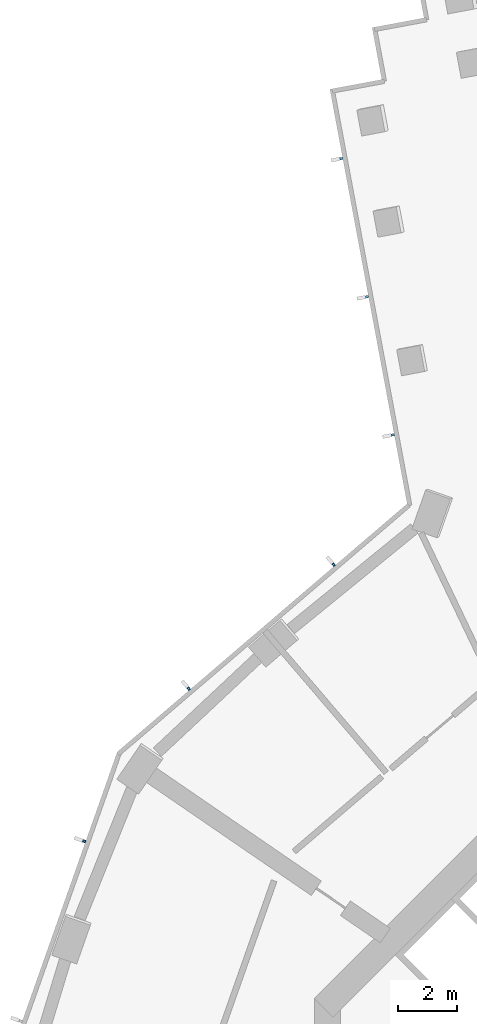
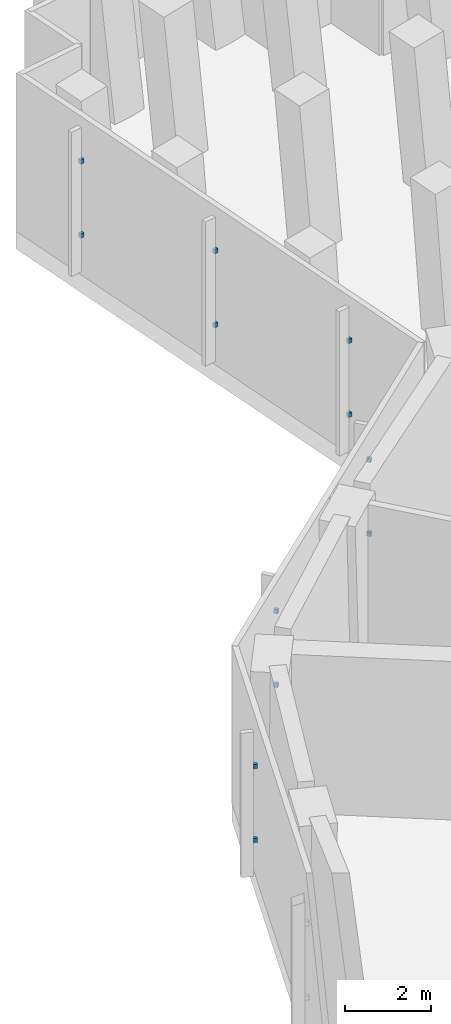
# One storey, part 10 of 20: 12 discrete accessories.
"""IFC4 building model written with IfcOpenShell, lengths in metres."""

from ifc_helpers import new_model, si_unit, direction, frame, origin, origin_2d, place, context, subcontext, project, spatial, rectangle, extrude, element, save


model = new_model("IFC4")

# Units and contexts
model_context = context("Model", 3, precision=1e-05, world=origin(), true_north=direction((0.0, 1.0)))
body_context = subcontext(model_context, "Body", "Model", "MODEL_VIEW")
ifc_project = project(units=[si_unit("LENGTHUNIT", "METRE"), si_unit("AREAUNIT", "SQUARE_METRE"), si_unit("VOLUMEUNIT", "CUBIC_METRE"), si_unit("PLANEANGLEUNIT", "RADIAN"), si_unit("MASSUNIT", "GRAM", prefix="KILO")], contexts=[model_context])

# Site, building, storey
site_placement = place(None, origin())
site = spatial("IfcSite", under=ifc_project, at=site_placement, CompositionType="ELEMENT")
building_placement = place(site_placement, origin())
building = spatial("IfcBuilding", under=site, at=building_placement, Name="Verdalira Terraces Hotel", CompositionType="ELEMENT")
storey_placement = place(building_placement, frame((0.0, 0.0, 75.0)))
storey = spatial("IfcBuildingStorey", under=building, at=storey_placement, Name="L17", CompositionType="ELEMENT", Elevation=75.0)

# Discrete accessories
for number, where, z_axis, x_axis, name in (
    (1, (-13.079346, 34.419189, 1.139893), (0.0, 0.0, 1.0), (0.183265088, -0.983063532, 0.0), "Fin bracket"),
    (2, (-13.079346, 34.419189, 3.23999), (0.0, 0.0, 1.0), (0.183265088, -0.983063532, 0.0), "Fin bracket"),
    (3, (-12.201416, 29.710449, 1.139893), (0.0, 0.0, 1.0), (0.183265088, -0.983063532, 0.0), "Fin bracket"),
    (4, (-12.201416, 29.710449, 3.23999), (0.0, 0.0, 1.0), (0.183265088, -0.983063532, 0.0), "Fin bracket"),
    (5, (-11.32373, 25.001465, 1.139893), (0.0, 0.0, 1.0), (0.183265088, -0.983063532, 0.0), "Fin bracket"),
    (6, (-11.32373, 25.001465, 3.23999), (0.0, 0.0, 1.0), (0.183265088, -0.983063532, 0.0), "Fin bracket"),
    (7, (-13.337158, 20.581055, 1.139893), (0.0, 0.0, 1.0), (-0.759725448, -0.650243987, 0.0), "Fin bracket"),
    (8, (-13.337158, 20.581055, 3.23999), (0.0, 0.0, 1.0), (-0.759725448, -0.650243987, 0.0), "Fin bracket"),
    (9, (-18.275391, 16.354248, 1.139893), (0.0, 0.0, 1.0), (-0.759725448, -0.650243987, 0.0), "Fin bracket"),
    (10, (-18.275391, 16.354248, 3.23999), (0.0, 0.0, 1.0), (-0.759725448, -0.650243987, 0.0), "Fin bracket"),
    (11, (-21.84082, 11.155029, 1.139893), (0.0, 0.0, 1.0), (-0.332819545, -0.942990536, 0.0), "Fin bracket"),
    (12, (-21.84082, 11.155029, 3.23999), (0.0, 0.0, 1.0), (-0.332819545, -0.942990536, 0.0), "Fin bracket"),
):
    element("IfcDiscreteAccessory", number, at=place(storey_placement, frame(where, z_axis=z_axis, x_axis=x_axis)), inside=storey, Name=name, PredefinedType="BRACKET", context=body_context, shape_type="SweptSolid", body=[
        extrude(rectangle(XDim=0.080078, YDim=0.100098, at=origin_2d()), origin(), (0.0, 0.0, 1.0), 0.120117),
    ])

save(model, "model.ifc")
